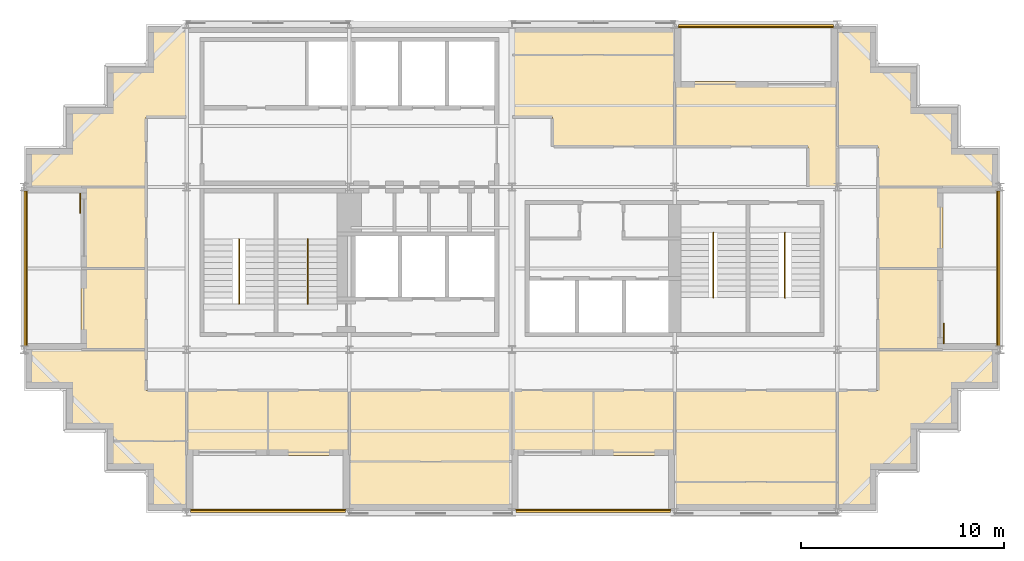
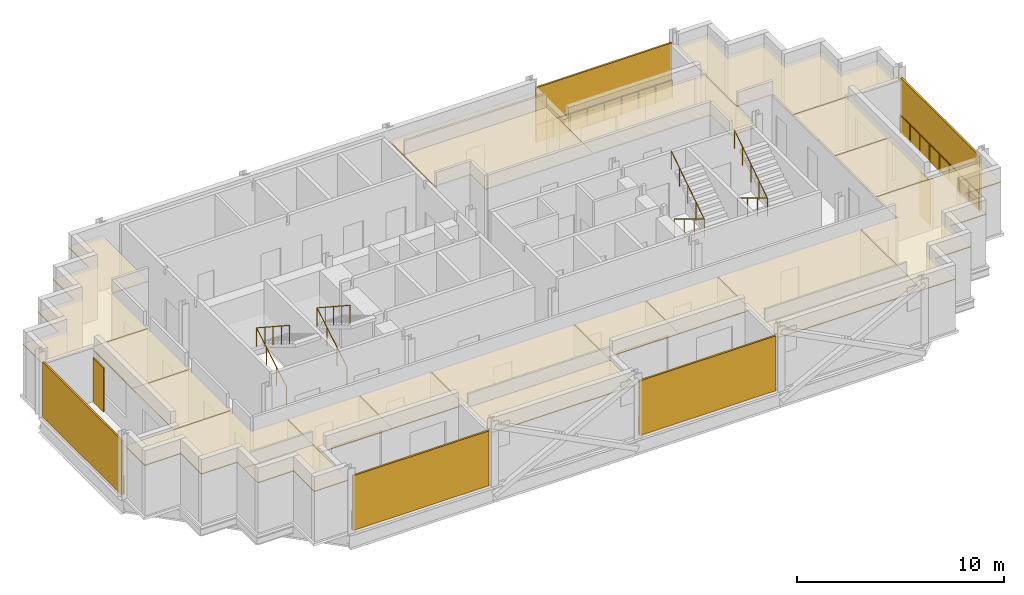
# One storey, part 9 of 9: 20 coverings, 9 railings, 7 shading devices.
"""IFC4 building model written with IfcOpenShell, lengths in metres."""

from ifc_helpers import new_model, si_unit, direction, frame, origin, origin_2d, place, context, subcontext, project, spatial, polyline, rectangle, circle, outline, extrude, material, layer, layer_set, type_object, element, save


model = new_model("IFC4")

# Units and contexts
model_context = context("Model", 3, precision=1e-05, world=origin(), true_north=direction((0.0, 1.0)))
body_context = subcontext(model_context, "Body", "Model", "MODEL_VIEW")
ifc_project = project(units=[si_unit("LENGTHUNIT", "METRE"), si_unit("AREAUNIT", "SQUARE_METRE"), si_unit("VOLUMEUNIT", "CUBIC_METRE"), si_unit("PLANEANGLEUNIT", "RADIAN"), si_unit("MASSUNIT", "GRAM", prefix="KILO")], contexts=[model_context])

# Site, building, storey
site_placement = place(None, origin())
site = spatial("IfcSite", under=ifc_project, at=site_placement, CompositionType="ELEMENT")
building_placement = place(site_placement, origin())
building = spatial("IfcBuilding", under=site, at=building_placement, Name="Immortelle Media Tower", CompositionType="ELEMENT")
storey_placement = place(building_placement, frame((0.0, 0.0, 247.0)))
storey = spatial("IfcBuildingStorey", under=building, at=storey_placement, Name="L53", CompositionType="ELEMENT", Elevation=247.0)

# Railings
ifc_material_1 = material(Name="Powder-coated aluminium fretwork panel, laminated glass backing", Category="aluminium")
railing_type_1 = type_object("IfcRailingType", Name="Fretwork balustrade 1100", PredefinedType="BALUSTRADE", material=ifc_material_1)
railing_1_placement = place(storey_placement, frame((8.197021484375, 0.139892578125, 0.0)))
element("IfcRailing", 1, at=railing_1_placement, inside=storey, type_object=railing_type_1, Name="Fretwork balustrade L53 S0", PredefinedType="BALUSTRADE", context=body_context, shape_type="SweptSolid", body=[
    extrude(circle(Radius=0.02490234375, at=origin_2d()), frame((0.0, 0.0, 1.0751953125), z_axis=(1.0, 0.0, 0.0), x_axis=(0.0, 1.0, 0.0)), (0.0, 0.0, 1.0), 7.6025390625),
    extrude(circle(Radius=0.02001953125, at=origin_2d()), origin(), (0.0, 0.0, 1.0), 1.050048828125),
    extrude(circle(Radius=0.02001953125, at=origin_2d()), frame((0.9501953125, 0.0, 0.0)), (0.0, 0.0, 1.0), 1.050048828125),
    extrude(circle(Radius=0.02001953125, at=origin_2d()), frame((1.900634765625, 0.0, 0.0)), (0.0, 0.0, 1.0), 1.050048828125),
    extrude(circle(Radius=0.02001953125, at=origin_2d()), frame((2.85107421875, 0.0, 0.0)), (0.0, 0.0, 1.0), 1.050048828125),
    extrude(circle(Radius=0.02001953125, at=origin_2d()), frame((3.80126953125, 0.0, 0.0)), (0.0, 0.0, 1.0), 1.050048828125),
    extrude(circle(Radius=0.02001953125, at=origin_2d()), frame((4.75146484375, 0.0, 0.0)), (0.0, 0.0, 1.0), 1.050048828125),
    extrude(circle(Radius=0.02001953125, at=origin_2d()), frame((5.701904296875, 0.0, 0.0)), (0.0, 0.0, 1.0), 1.050048828125),
    extrude(circle(Radius=0.02001953125, at=origin_2d()), frame((6.65234375, 0.0, 0.0)), (0.0, 0.0, 1.0), 1.050048828125),
    extrude(circle(Radius=0.02001953125, at=origin_2d()), frame((7.6025390625, 0.0, 0.0)), (0.0, 0.0, 1.0), 1.050048828125),
])
railing_2_placement = place(storey_placement, frame((24.200439453125, 0.139892578125, 0.0)))
element("IfcRailing", 2, at=railing_2_placement, inside=storey, type_object=railing_type_1, Name="Fretwork balustrade L53 S2", PredefinedType="BALUSTRADE", context=body_context, shape_type="SweptSolid", body=[
    extrude(circle(Radius=0.02490234375, at=origin_2d()), frame((0.0, 0.0, 1.0751953125), z_axis=(1.0, 0.0, 0.0), x_axis=(0.0, 1.0, 0.0)), (0.0, 0.0, 1.0), 7.59912109375),
    extrude(circle(Radius=0.02001953125, at=origin_2d()), origin(), (0.0, 0.0, 1.0), 1.050048828125),
    extrude(circle(Radius=0.02001953125, at=origin_2d()), frame((0.949951171875, 0.0, 0.0)), (0.0, 0.0, 1.0), 1.050048828125),
    extrude(circle(Radius=0.02001953125, at=origin_2d()), frame((1.89990234375, 0.0, 0.0)), (0.0, 0.0, 1.0), 1.050048828125),
    extrude(circle(Radius=0.02001953125, at=origin_2d()), frame((2.849609375, 0.0, 0.0)), (0.0, 0.0, 1.0), 1.050048828125),
    extrude(circle(Radius=0.02001953125, at=origin_2d()), frame((3.799560546875, 0.0, 0.0)), (0.0, 0.0, 1.0), 1.050048828125),
    extrude(circle(Radius=0.02001953125, at=origin_2d()), frame((4.74951171875, 0.0, 0.0)), (0.0, 0.0, 1.0), 1.050048828125),
    extrude(circle(Radius=0.02001953125, at=origin_2d()), frame((5.69921875, 0.0, 0.0)), (0.0, 0.0, 1.0), 1.050048828125),
    extrude(circle(Radius=0.02001953125, at=origin_2d()), frame((6.649169921875, 0.0, 0.0)), (0.0, 0.0, 1.0), 1.050048828125),
    extrude(circle(Radius=0.02001953125, at=origin_2d()), frame((7.59912109375, 0.0, 0.0)), (0.0, 0.0, 1.0), 1.050048828125),
])
railing_3_placement = place(storey_placement, frame((47.860107421875, 8.18798828125, 0.0)))
element("IfcRailing", 3, at=railing_3_placement, inside=storey, type_object=railing_type_1, Name="Fretwork balustrade L53 E0", PredefinedType="BALUSTRADE", context=body_context, shape_type="SweptSolid", body=[
    extrude(circle(Radius=0.02490234375, at=origin_2d()), frame((0.0, 0.0, 1.0751953125), z_axis=(0.0, 1.0, 0.0), x_axis=(-1.0, 0.0, 0.0)), (0.0, 0.0, 1.0), 7.6240234375),
    extrude(circle(Radius=0.02001953125, at=origin_2d()), origin(), (0.0, 0.0, 1.0), 1.050048828125),
    extrude(circle(Radius=0.02001953125, at=origin_2d()), frame((0.0, 0.953125, 0.0)), (0.0, 0.0, 1.0), 1.050048828125),
    extrude(circle(Radius=0.02001953125, at=origin_2d()), frame((0.0, 1.906005859375, 0.0)), (0.0, 0.0, 1.0), 1.050048828125),
    extrude(circle(Radius=0.02001953125, at=origin_2d()), frame((0.0, 2.85888671875, 0.0)), (0.0, 0.0, 1.0), 1.050048828125),
    extrude(circle(Radius=0.02001953125, at=origin_2d()), frame((0.0, 3.81201171875, 0.0)), (0.0, 0.0, 1.0), 1.050048828125),
    extrude(circle(Radius=0.02001953125, at=origin_2d()), frame((0.0, 4.76513671875, 0.0)), (0.0, 0.0, 1.0), 1.050048828125),
    extrude(circle(Radius=0.02001953125, at=origin_2d()), frame((0.0, 5.718017578125, 0.0)), (0.0, 0.0, 1.0), 1.050048828125),
    extrude(circle(Radius=0.02001953125, at=origin_2d()), frame((0.0, 6.6708984375, 0.0)), (0.0, 0.0, 1.0), 1.050048828125),
    extrude(circle(Radius=0.02001953125, at=origin_2d()), frame((0.0, 7.6240234375, 0.0)), (0.0, 0.0, 1.0), 1.050048828125),
])
railing_4_placement = place(storey_placement, frame((39.802978515625, 23.860107421875, 0.0)))
element("IfcRailing", 4, at=railing_4_placement, inside=storey, type_object=railing_type_1, Name="Fretwork balustrade L53 N0", PredefinedType="BALUSTRADE", context=body_context, shape_type="SweptSolid", body=[
    extrude(circle(Radius=0.02490234375, at=origin_2d()), frame((0.0, 0.0, 1.0751953125), z_axis=(-1.0, 0.0, 0.0), x_axis=(0.0, -1.0, 0.0)), (0.0, 0.0, 1.0), 7.6025390625),
    extrude(circle(Radius=0.02001953125, at=origin_2d()), origin(), (0.0, 0.0, 1.0), 1.050048828125),
    extrude(circle(Radius=0.02001953125, at=origin_2d()), frame((-0.9501953125, 0.0, 0.0)), (0.0, 0.0, 1.0), 1.050048828125),
    extrude(circle(Radius=0.02001953125, at=origin_2d()), frame((-1.900634765625, 0.0, 0.0)), (0.0, 0.0, 1.0), 1.050048828125),
    extrude(circle(Radius=0.02001953125, at=origin_2d()), frame((-2.85107421875, 0.0, 0.0)), (0.0, 0.0, 1.0), 1.050048828125),
    extrude(circle(Radius=0.02001953125, at=origin_2d()), frame((-3.80126953125, 0.0, 0.0)), (0.0, 0.0, 1.0), 1.050048828125),
    extrude(circle(Radius=0.02001953125, at=origin_2d()), frame((-4.75146484375, 0.0, 0.0)), (0.0, 0.0, 1.0), 1.050048828125),
    extrude(circle(Radius=0.02001953125, at=origin_2d()), frame((-5.701904296875, 0.0, 0.0)), (0.0, 0.0, 1.0), 1.050048828125),
    extrude(circle(Radius=0.02001953125, at=origin_2d()), frame((-6.65234375, 0.0, 0.0)), (0.0, 0.0, 1.0), 1.050048828125),
    extrude(circle(Radius=0.02001953125, at=origin_2d()), frame((-7.6025390625, 0.0, 0.0)), (0.0, 0.0, 1.0), 1.050048828125),
])
railing_5_placement = place(storey_placement, frame((0.139892578125, 15.81201171875, 0.0)))
element("IfcRailing", 5, at=railing_5_placement, inside=storey, type_object=railing_type_1, Name="Fretwork balustrade L53 W0", PredefinedType="BALUSTRADE", context=body_context, shape_type="SweptSolid", body=[
    extrude(circle(Radius=0.02490234375, at=origin_2d()), frame((0.0, 0.0, 1.0751953125), z_axis=(0.0, -1.0, 0.0), x_axis=(1.0, 0.0, 0.0)), (0.0, 0.0, 1.0), 7.6240234375),
    extrude(circle(Radius=0.02001953125, at=origin_2d()), origin(), (0.0, 0.0, 1.0), 1.050048828125),
    extrude(circle(Radius=0.02001953125, at=origin_2d()), frame((0.0, -0.953125, 0.0)), (0.0, 0.0, 1.0), 1.050048828125),
    extrude(circle(Radius=0.02001953125, at=origin_2d()), frame((0.0, -1.906005859375, 0.0)), (0.0, 0.0, 1.0), 1.050048828125),
    extrude(circle(Radius=0.02001953125, at=origin_2d()), frame((0.0, -2.85888671875, 0.0)), (0.0, 0.0, 1.0), 1.050048828125),
    extrude(circle(Radius=0.02001953125, at=origin_2d()), frame((0.0, -3.81201171875, 0.0)), (0.0, 0.0, 1.0), 1.050048828125),
    extrude(circle(Radius=0.02001953125, at=origin_2d()), frame((0.0, -4.76513671875, 0.0)), (0.0, 0.0, 1.0), 1.050048828125),
    extrude(circle(Radius=0.02001953125, at=origin_2d()), frame((0.0, -5.718017578125, 0.0)), (0.0, 0.0, 1.0), 1.050048828125),
    extrude(circle(Radius=0.02001953125, at=origin_2d()), frame((0.0, -6.6708984375, 0.0)), (0.0, 0.0, 1.0), 1.050048828125),
    extrude(circle(Radius=0.02001953125, at=origin_2d()), frame((0.0, -7.6240234375, 0.0)), (0.0, 0.0, 1.0), 1.050048828125),
])

# Shading devices
ifc_material_2 = material(Name="Pale aluminium louvre blades", Category="aluminium")
ifc_layer_1 = layer(ifc_material_2, 0.10009765625)
ifc_layer_set_1 = layer_set([ifc_layer_1], Name="Pale aluminium louvre blades")
shading_device_type_1 = type_object("IfcShadingDeviceType", Name="Jalousie screen 100", PredefinedType="JALOUSIE", material=ifc_layer_set_1)
shading_device_1_placement = place(storey_placement, frame((11.998291015625, 0.050048828125, 0.0), z_axis=(0.0, 0.0, 1.0), x_axis=(1.0, 0.0, 0.0)))
element("IfcShadingDevice", 6, at=shading_device_1_placement, inside=storey, type_object=shading_device_type_1, Name="Jalousie screen L53 S0", PredefinedType="JALOUSIE", context=body_context, shape_type="SweptSolid", body=[
    extrude(rectangle(XDim=7.6025390625, YDim=0.10009765625, at=origin_2d()), origin(), (0.0, 0.0, 1.0), 3.238037109375),
])
shading_device_2_placement = place(storey_placement, frame((28.0, 0.050048828125, 0.0), z_axis=(0.0, 0.0, 1.0), x_axis=(1.0, 0.0, 0.0)))
element("IfcShadingDevice", 7, at=shading_device_2_placement, inside=storey, type_object=shading_device_type_1, Name="Jalousie screen L53 S2", PredefinedType="JALOUSIE", context=body_context, shape_type="SweptSolid", body=[
    extrude(rectangle(XDim=7.59912109375, YDim=0.10009765625, at=origin_2d()), origin(), (0.0, 0.0, 1.0), 3.238037109375),
])
shading_device_3_placement = place(storey_placement, frame((47.949951171875, 12.0, 0.0), z_axis=(0.0, 0.0, 1.0), x_axis=(0.0, 1.0, 0.0)))
element("IfcShadingDevice", 8, at=shading_device_3_placement, inside=storey, type_object=shading_device_type_1, Name="Jalousie screen L53 E0", PredefinedType="JALOUSIE", context=body_context, shape_type="SweptSolid", body=[
    extrude(rectangle(XDim=7.6240234375, YDim=0.10009765625, at=origin_2d()), origin(), (0.0, 0.0, 1.0), 3.238037109375),
])
shading_device_4_placement = place(storey_placement, frame((36.001708984375, 23.949951171875, 0.0), z_axis=(0.0, 0.0, 1.0), x_axis=(-1.0, 0.0, 0.0)))
element("IfcShadingDevice", 9, at=shading_device_4_placement, inside=storey, type_object=shading_device_type_1, Name="Jalousie screen L53 N0", PredefinedType="JALOUSIE", context=body_context, shape_type="SweptSolid", body=[
    extrude(rectangle(XDim=7.6025390625, YDim=0.10009765625, at=origin_2d()), origin(), (0.0, 0.0, 1.0), 3.238037109375),
])
shading_device_5_placement = place(storey_placement, frame((0.050048828125, 12.0, 0.0), z_axis=(0.0, 0.0, 1.0), x_axis=(0.0, -1.0, 0.0)))
element("IfcShadingDevice", 10, at=shading_device_5_placement, inside=storey, type_object=shading_device_type_1, Name="Jalousie screen L53 W0", PredefinedType="JALOUSIE", context=body_context, shape_type="SweptSolid", body=[
    extrude(rectangle(XDim=7.6240234375, YDim=0.10009765625, at=origin_2d()), origin(), (0.0, 0.0, 1.0), 3.238037109375),
])
ifc_material_3 = material(Name="Pale aluminium louvre blades in a folding frame", Category="aluminium")
ifc_layer_2 = layer(ifc_material_3, 0.050048828125)
ifc_layer_set_2 = layer_set([ifc_layer_2], Name="Pale aluminium louvre blades in a folding frame")
shading_device_type_2 = type_object("IfcShadingDeviceType", Name="Louvred loggia shutter", PredefinedType="SHUTTER", material=ifc_layer_set_2)
for number, where, z_axis, x_axis, name in (
    (11, (45.22509765625, 8.800048828125, 0.0), (0.0, 0.0, 1.0), (0.0, 1.0, 0.0), "Loggia shutter L53 E0"),
    (12, (2.77490234375, 15.199951171875, 0.0), (0.0, 0.0, 1.0), (0.0, -1.0, 0.0), "Loggia shutter L53 W0"),
):
    element("IfcShadingDevice", number, at=place(storey_placement, frame(where, z_axis=z_axis, x_axis=x_axis)), inside=storey, type_object=shading_device_type_2, Name=name, PredefinedType="SHUTTER", context=body_context, shape_type="SweptSolid", body=[
        extrude(rectangle(XDim=1.0, YDim=0.050048828125, at=origin_2d()), origin(), (0.0, 0.0, 1.0), 2.60009765625),
    ])

# Railings
ifc_material_4 = material(Name="Stainless steel AISI 316", Category="steel")
railing_type_2 = type_object("IfcRailingType", Name="Stair guard 1100", PredefinedType="GUARDRAIL", material=ifc_material_4)
for number, where, name in (
    (13, (10.574951171875, 10.5400390625, 0.173828125), "Stair guard SW1"),
    (14, (13.949951171875, 10.5400390625, 0.173828125), "Stair guard SW2"),
):
    element("IfcRailing", number, at=place(storey_placement, frame(where)), inside=storey, type_object=railing_type_2, Name=name, PredefinedType="GUARDRAIL", context=body_context, shape_type="SweptSolid", body=[
        extrude(circle(Radius=0.02392578125, at=origin_2d()), frame((0.0, 0.0, 1.076171875), z_axis=(0.0, 0.857582100076, 0.514347102285), x_axis=(-1.0, 0.0, 0.0)), (0.0, 0.0, 1.0), 3.381591796875),
        extrude(circle(Radius=0.02392578125, at=origin_2d()), frame((0.0, 2.89990234375, 2.8154296875), z_axis=(0.0, -0.836827423118, 0.547466769693), x_axis=(1.0, 0.0, 0.0)), (0.0, 0.0, 1.0), 3.81201171875),
        extrude(circle(Radius=0.02099609375, at=origin_2d()), origin(), (0.0, 0.0, 1.0), 1.052001953125),
        extrude(circle(Radius=0.02099609375, at=origin_2d()), frame((0.0, 0.966552734375, 0.579833984375)), (0.0, 0.0, 1.0), 1.052001953125),
        extrude(circle(Radius=0.02099609375, at=origin_2d()), frame((0.0, 1.933349609375, 1.159423828125)), (0.0, 0.0, 1.0), 1.052001953125),
        extrude(circle(Radius=0.02099609375, at=origin_2d()), frame((0.0, 2.89990234375, 1.7392578125)), (0.0, 0.0, 1.0), 1.052001953125),
        extrude(circle(Radius=0.02099609375, at=origin_2d()), frame((0.0, 2.1025390625, 2.260986328125)), (0.0, 0.0, 1.0), 1.052001953125),
        extrude(circle(Radius=0.02099609375, at=origin_2d()), frame((0.0, 1.304931640625, 2.78271484375)), (0.0, 0.0, 1.0), 1.052001953125),
        extrude(circle(Radius=0.02099609375, at=origin_2d()), frame((0.0, 0.50732421875, 3.304443359375)), (0.0, 0.0, 1.0), 1.052001953125),
        extrude(circle(Radius=0.02099609375, at=origin_2d()), frame((0.0, -0.2900390625, 3.826171875)), (0.0, 0.0, 1.0), 1.052001953125),
    ])
for number, where, name in (
    (15, (33.89990234375, 13.4599609375, 0.173828125), "Stair guard SE1"),
    (16, (37.425048828125, 13.4599609375, 0.173828125), "Stair guard SE2"),
):
    element("IfcRailing", number, at=place(storey_placement, frame(where)), inside=storey, type_object=railing_type_2, Name=name, PredefinedType="GUARDRAIL", context=body_context, shape_type="SweptSolid", body=[
        extrude(circle(Radius=0.02392578125, at=origin_2d()), frame((0.0, 0.0, 1.076171875), z_axis=(0.0, -0.857582100076, 0.514347102285), x_axis=(1.0, 0.0, 0.0)), (0.0, 0.0, 1.0), 3.381591796875),
        extrude(circle(Radius=0.02392578125, at=origin_2d()), frame((0.0, -2.89990234375, 2.8154296875), z_axis=(0.0, 0.836827423118, 0.547466769693), x_axis=(-1.0, 0.0, 0.0)), (0.0, 0.0, 1.0), 3.81201171875),
        extrude(circle(Radius=0.02099609375, at=origin_2d()), origin(), (0.0, 0.0, 1.0), 1.052001953125),
        extrude(circle(Radius=0.02099609375, at=origin_2d()), frame((0.0, -0.966552734375, 0.579833984375)), (0.0, 0.0, 1.0), 1.052001953125),
        extrude(circle(Radius=0.02099609375, at=origin_2d()), frame((0.0, -1.933349609375, 1.159423828125)), (0.0, 0.0, 1.0), 1.052001953125),
        extrude(circle(Radius=0.02099609375, at=origin_2d()), frame((0.0, -2.89990234375, 1.7392578125)), (0.0, 0.0, 1.0), 1.052001953125),
        extrude(circle(Radius=0.02099609375, at=origin_2d()), frame((0.0, -2.1025390625, 2.260986328125)), (0.0, 0.0, 1.0), 1.052001953125),
        extrude(circle(Radius=0.02099609375, at=origin_2d()), frame((0.0, -1.304931640625, 2.78271484375)), (0.0, 0.0, 1.0), 1.052001953125),
        extrude(circle(Radius=0.02099609375, at=origin_2d()), frame((0.0, -0.50732421875, 3.304443359375)), (0.0, 0.0, 1.0), 1.052001953125),
        extrude(circle(Radius=0.02099609375, at=origin_2d()), frame((0.0, 0.2900390625, 3.826171875)), (0.0, 0.0, 1.0), 1.052001953125),
    ])

# Coverings
ifc_material_5 = material(Name="Mineral fibre tile ceiling")
ifc_layer_3 = layer(ifc_material_5, 0.050048828125)
ifc_layer_set_3 = layer_set([ifc_layer_3], Name="Mineral fibre tile ceiling")
covering_type = type_object("IfcCoveringType", Name="Suspended ceiling 50", PredefinedType="CEILING", material=ifc_layer_set_3)
covering_1_placement = place(storey_placement, frame((0.0, 0.0, 2.964111328125)))
element("IfcCovering", 17, at=covering_1_placement, inside=storey, type_object=covering_type, Name="Ceiling L53-001", PredefinedType="CEILING", context=body_context, shape_type="SweptSolid", body=[
    extrude(outline(polyline([(16.0, 2.800048828125), (16.0, 6.0), (24.0, 6.0), (24.0, 2.800048828125), (24.0, 2.5), (16.0, 2.5), (16.0, 2.800048828125)])), origin(), (0.0, 0.0, 1.0), 0.0498046875),
])
covering_2_placement = place(storey_placement, frame((0.0, 0.0, 2.964111328125)))
element("IfcCovering", 18, at=covering_2_placement, inside=storey, type_object=covering_type, Name="Ceiling L53-002", PredefinedType="CEILING", context=body_context, shape_type="SweptSolid", body=[
    extrude(outline(polyline([(16.0, 2.5), (24.0, 2.5), (24.0, 0.10009765625), (16.0, 0.10009765625), (16.0, 2.5)])), origin(), (0.0, 0.0, 1.0), 0.0498046875),
])
covering_3_placement = place(storey_placement, frame((0.0, 0.0, 2.964111328125)))
element("IfcCovering", 19, at=covering_3_placement, inside=storey, type_object=covering_type, Name="Ceiling L53-003", PredefinedType="CEILING", context=body_context, shape_type="SweptSolid", body=[
    extrude(outline(polyline([(32.0, 2.800048828125), (32.0, 6.0), (40.0, 6.0), (40.0, 1.5), (32.0, 1.5), (32.0, 2.800048828125)])), origin(), (0.0, 0.0, 1.0), 0.0498046875),
])
covering_4_placement = place(storey_placement, frame((0.0, 0.0, 2.964111328125)))
element("IfcCovering", 20, at=covering_4_placement, inside=storey, type_object=covering_type, Name="Ceiling L53-004", PredefinedType="CEILING", context=body_context, shape_type="SweptSolid", body=[
    extrude(outline(polyline([(32.0, 1.5), (40.0, 1.5), (40.0, 0.10009765625), (32.0, 0.10009765625), (32.0, 1.5)])), origin(), (0.0, 0.0, 1.0), 0.0498046875),
])
covering_5_placement = place(storey_placement, frame((0.0, 0.0, 2.964111328125)))
element("IfcCovering", 21, at=covering_5_placement, inside=storey, type_object=covering_type, Name="Ceiling L53-005", PredefinedType="CEILING", context=body_context, shape_type="SweptSolid", body=[
    extrude(outline(polyline([(8.0, 6.0), (12.0, 6.0), (12.0, 2.800048828125), (8.0, 2.800048828125), (8.0, 6.0)])), origin(), (0.0, 0.0, 1.0), 0.0498046875),
])
covering_6_placement = place(storey_placement, frame((0.0, 0.0, 2.964111328125)))
element("IfcCovering", 22, at=covering_6_placement, inside=storey, type_object=covering_type, Name="Ceiling L53-006", PredefinedType="CEILING", context=body_context, shape_type="SweptSolid", body=[
    extrude(outline(polyline([(16.0, 6.0), (16.0, 2.800048828125), (12.0, 2.800048828125), (12.0, 6.0), (16.0, 6.0)])), origin(), (0.0, 0.0, 1.0), 0.0498046875),
])
covering_7_placement = place(storey_placement, frame((0.0, 0.0, 2.964111328125)))
element("IfcCovering", 23, at=covering_7_placement, inside=storey, type_object=covering_type, Name="Ceiling L53-007", PredefinedType="CEILING", context=body_context, shape_type="SweptSolid", body=[
    extrude(outline(polyline([(24.0, 6.0), (26.0, 6.0), (28.0, 6.0), (28.0, 2.800048828125), (24.0, 2.800048828125), (24.0, 6.0)])), origin(), (0.0, 0.0, 1.0), 0.0498046875),
])
covering_8_placement = place(storey_placement, frame((0.0, 0.0, 2.964111328125)))
element("IfcCovering", 24, at=covering_8_placement, inside=storey, type_object=covering_type, Name="Ceiling L53-008", PredefinedType="CEILING", context=body_context, shape_type="SweptSolid", body=[
    extrude(outline(polyline([(32.0, 6.0), (32.0, 2.800048828125), (28.0, 2.800048828125), (28.0, 6.0), (32.0, 6.0)])), origin(), (0.0, 0.0, 1.0), 0.0498046875),
])
covering_9_placement = place(storey_placement, frame((0.0, 0.0, 2.964111328125)))
element("IfcCovering", 25, at=covering_9_placement, inside=storey, type_object=covering_type, Name="Ceiling L53-009", PredefinedType="CEILING", context=body_context, shape_type="SweptSolid", body=[
    extrude(outline(polyline([(4.10009765625, 4.10009765625), (4.0, 4.10009765625), (2.10009765625, 4.10009765625), (2.10009765625, 6.10009765625), (0.10009765625, 6.10009765625), (0.10009765625, 8.0), (2.800048828125, 8.0), (4.0, 8.0), (6.0, 8.0), (6.0, 6.0), (8.0, 6.0), (8.0, 3.5), (4.10009765625, 3.5), (4.10009765625, 4.10009765625)])), origin(), (0.0, 0.0, 1.0), 0.0498046875),
])
covering_10_placement = place(storey_placement, frame((0.0, 0.0, 2.964111328125)))
element("IfcCovering", 26, at=covering_10_placement, inside=storey, type_object=covering_type, Name="Ceiling L53-010", PredefinedType="CEILING", context=body_context, shape_type="SweptSolid", body=[
    extrude(outline(polyline([(4.10009765625, 3.5), (8.0, 3.5), (8.0, 2.800048828125), (8.0, 0.10009765625), (6.10009765625, 0.10009765625), (6.10009765625, 2.10009765625), (4.10009765625, 2.10009765625), (4.10009765625, 3.5)])), origin(), (0.0, 0.0, 1.0), 0.0498046875),
])
covering_11_placement = place(storey_placement, frame((0.0, 0.0, 2.964111328125)))
element("IfcCovering", 27, at=covering_11_placement, inside=storey, type_object=covering_type, Name="Ceiling L53-011", PredefinedType="CEILING", context=body_context, shape_type="SweptSolid", body=[
    extrude(outline(polyline([(45.89990234375, 6.10009765625), (45.89990234375, 4.10009765625), (43.89990234375, 4.10009765625), (43.89990234375, 2.10009765625), (41.89990234375, 2.10009765625), (41.89990234375, 0.10009765625), (40.0, 0.10009765625), (40.0, 6.0), (42.0, 6.0), (42.0, 8.0), (45.199951171875, 8.0), (47.89990234375, 8.0), (47.89990234375, 6.10009765625), (45.89990234375, 6.10009765625)])), origin(), (0.0, 0.0, 1.0), 0.0498046875),
])
covering_12_placement = place(storey_placement, frame((0.0, 0.0, 2.964111328125)))
element("IfcCovering", 28, at=covering_12_placement, inside=storey, type_object=covering_type, Name="Ceiling L53-012", PredefinedType="CEILING", context=body_context, shape_type="SweptSolid", body=[
    extrude(outline(polyline([(2.800048828125, 8.0), (2.800048828125, 12.0), (6.0, 12.0), (6.0, 8.0), (2.800048828125, 8.0)])), origin(), (0.0, 0.0, 1.0), 0.0498046875),
])
covering_13_placement = place(storey_placement, frame((0.0, 0.0, 2.964111328125)))
element("IfcCovering", 29, at=covering_13_placement, inside=storey, type_object=covering_type, Name="Ceiling L53-013", PredefinedType="CEILING", context=body_context, shape_type="SweptSolid", body=[
    extrude(outline(polyline([(2.800048828125, 16.0), (6.0, 16.0), (6.0, 12.0), (2.800048828125, 12.0), (2.800048828125, 16.0)])), origin(), (0.0, 0.0, 1.0), 0.0498046875),
])
covering_14_placement = place(storey_placement, frame((0.0, 0.0, 2.964111328125)))
element("IfcCovering", 30, at=covering_14_placement, inside=storey, type_object=covering_type, Name="Ceiling L53-014", PredefinedType="CEILING", context=body_context, shape_type="SweptSolid", body=[
    extrude(outline(polyline([(42.0, 8.0), (42.0, 12.0), (45.199951171875, 12.0), (45.199951171875, 8.0), (42.0, 8.0)])), origin(), (0.0, 0.0, 1.0), 0.0498046875),
])
covering_15_placement = place(storey_placement, frame((0.0, 0.0, 2.964111328125)))
element("IfcCovering", 31, at=covering_15_placement, inside=storey, type_object=covering_type, Name="Ceiling L53-015", PredefinedType="CEILING", context=body_context, shape_type="SweptSolid", body=[
    extrude(outline(polyline([(42.0, 16.0), (45.199951171875, 16.0), (45.199951171875, 12.0), (42.0, 12.0), (42.0, 16.0)])), origin(), (0.0, 0.0, 1.0), 0.0498046875),
])
covering_16_placement = place(storey_placement, frame((0.0, 0.0, 2.964111328125)))
element("IfcCovering", 32, at=covering_16_placement, inside=storey, type_object=covering_type, Name="Ceiling L53-016", PredefinedType="CEILING", context=body_context, shape_type="SweptSolid", body=[
    extrude(outline(polyline([(2.800048828125, 16.0), (0.10009765625, 16.0), (0.10009765625, 17.89990234375), (2.10009765625, 17.89990234375), (2.10009765625, 19.89990234375), (4.10009765625, 19.89990234375), (4.10009765625, 20.0), (4.10009765625, 21.89990234375), (6.10009765625, 21.89990234375), (6.10009765625, 23.89990234375), (8.0, 23.89990234375), (8.0, 20.0), (8.0, 19.449951171875), (6.0, 19.449951171875), (6.0, 16.0), (2.800048828125, 16.0)])), origin(), (0.0, 0.0, 1.0), 0.0498046875),
])
covering_17_placement = place(storey_placement, frame((0.0, 0.0, 2.964111328125)))
element("IfcCovering", 33, at=covering_17_placement, inside=storey, type_object=covering_type, Name="Ceiling L53-017", PredefinedType="CEILING", context=body_context, shape_type="SweptSolid", body=[
    extrude(outline(polyline([(45.89990234375, 19.89990234375), (45.89990234375, 17.89990234375), (47.89990234375, 17.89990234375), (47.89990234375, 16.0), (45.199951171875, 16.0), (44.0, 16.0), (42.0, 16.0), (42.0, 18.0), (40.0, 18.0), (40.0, 21.199951171875), (40.0, 23.89990234375), (41.89990234375, 23.89990234375), (41.89990234375, 21.89990234375), (43.89990234375, 21.89990234375), (43.89990234375, 19.89990234375), (44.0, 19.89990234375), (45.89990234375, 19.89990234375)])), origin(), (0.0, 0.0, 1.0), 0.0498046875),
])
covering_18_placement = place(storey_placement, frame((0.0, 0.0, 2.964111328125)))
element("IfcCovering", 34, at=covering_18_placement, inside=storey, type_object=covering_type, Name="Ceiling L53-018", PredefinedType="CEILING", context=body_context, shape_type="SweptSolid", body=[
    extrude(outline(polyline([(38.550048828125, 16.0), (38.550048828125, 18.0), (32.0, 18.0), (32.0, 21.199951171875), (40.0, 21.199951171875), (40.0, 18.0), (40.0, 16.0), (38.550048828125, 16.0)])), origin(), (0.0, 0.0, 1.0), 0.0498046875),
])
covering_19_placement = place(storey_placement, frame((0.0, 0.0, 2.964111328125)))
element("IfcCovering", 35, at=covering_19_placement, inside=storey, type_object=covering_type, Name="Ceiling L53-019", PredefinedType="CEILING", context=body_context, shape_type="SweptSolid", body=[
    extrude(outline(polyline([(26.0, 18.0), (26.0, 19.449951171875), (24.0, 19.449951171875), (24.0, 21.199951171875), (24.0, 22.5), (32.0, 22.5), (32.0, 21.199951171875), (32.0, 18.0), (27.0, 18.0), (26.0, 18.0)])), origin(), (0.0, 0.0, 1.0), 0.0498046875),
])
covering_20_placement = place(storey_placement, frame((0.0, 0.0, 2.964111328125)))
element("IfcCovering", 36, at=covering_20_placement, inside=storey, type_object=covering_type, Name="Ceiling L53-020", PredefinedType="CEILING", context=body_context, shape_type="SweptSolid", body=[
    extrude(outline(polyline([(24.0, 23.89990234375), (32.0, 23.89990234375), (32.0, 22.5), (24.0, 22.5), (24.0, 23.89990234375)])), origin(), (0.0, 0.0, 1.0), 0.0498046875),
])

save(model, "model.ifc")
